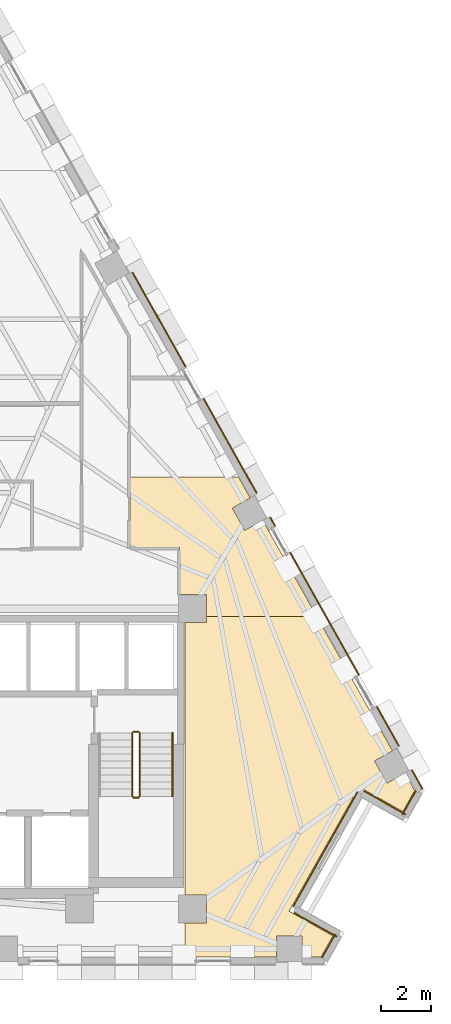
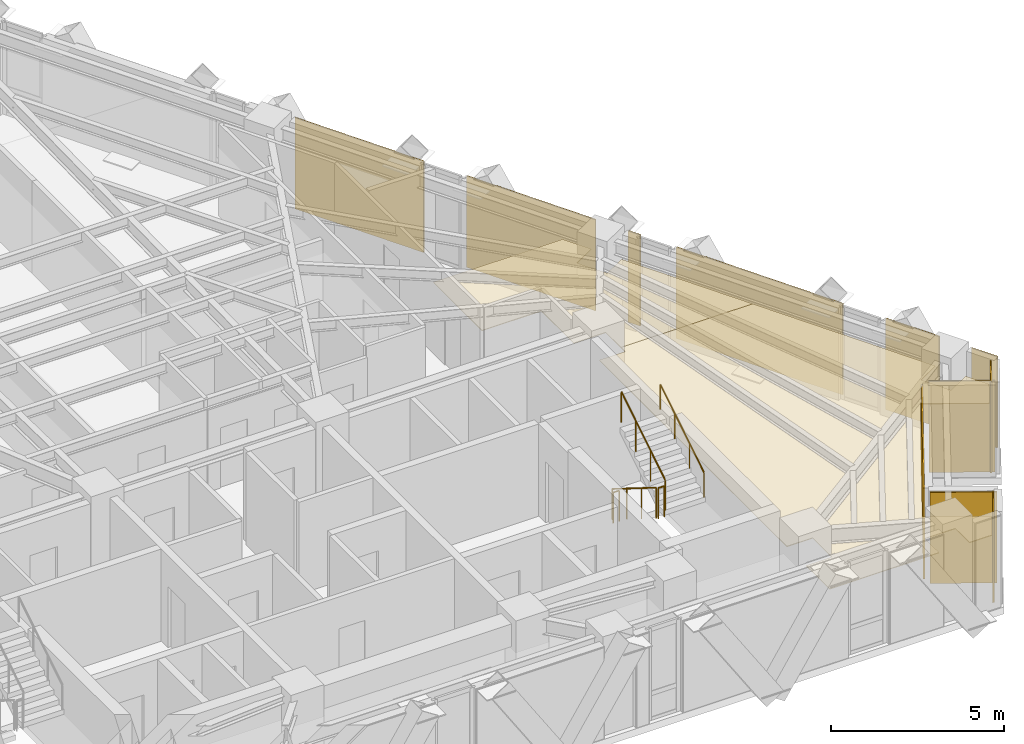
# One storey, part 12 of 13: 13 coverings, 5 railings.
"""IFC4 building model written with IfcOpenShell, lengths in metres."""

from ifc_helpers import new_model, si_unit, direction, frame, origin, origin_2d, place, context, subcontext, project, spatial, polyline, circle, outline, extrude, material, layer, layer_set, type_object, element, save


model = new_model("IFC4")

# Units and contexts
model_context = context("Model", 3, precision=1e-05, world=origin(), true_north=direction((0.0, 1.0)))
body_context = subcontext(model_context, "Body", "Model", "MODEL_VIEW")
ifc_project = project(units=[si_unit("LENGTHUNIT", "METRE"), si_unit("AREAUNIT", "SQUARE_METRE"), si_unit("VOLUMEUNIT", "CUBIC_METRE"), si_unit("PLANEANGLEUNIT", "RADIAN"), si_unit("MASSUNIT", "GRAM", prefix="KILO")], contexts=[model_context])

# Site, building, storey
site_placement = place(None, origin())
site = spatial("IfcSite", under=ifc_project, at=site_placement, CompositionType="ELEMENT")
building_placement = place(site_placement, origin())
building = spatial("IfcBuilding", under=site, at=building_placement, Name="Quenlor Broadcast Tower", CompositionType="ELEMENT")
storey_placement = place(building_placement, frame((0.0, 0.0, 172.0)))
storey = spatial("IfcBuildingStorey", under=building, at=storey_placement, Name="L47", CompositionType="ELEMENT", Elevation=172.0)

# Coverings
ifc_material_1 = material(Name="Acoustic Mineral Fibre Board", Category="other")
ifc_layer_1 = layer(ifc_material_1, 0.02490234375)
ifc_layer_set_1 = layer_set([ifc_layer_1], Name="Acoustic Perforated Mineral Tile Ceiling 25")
covering_type_1 = type_object("IfcCoveringType", Name="Acoustic Perforated Mineral Tile Ceiling 25", PredefinedType="CEILING", material=ifc_layer_set_1)
covering_1_placement = place(storey_placement, frame((0.0, 0.0, 2.375)))
element("IfcCovering", 1, at=covering_1_placement, inside=storey, type_object=covering_type_1, Name="L47 Acoustic Ceiling L47-35-2", PredefinedType="CEILING", context=body_context, shape_type="SweptSolid", body=[
    extrude(outline(polyline([(13.508056640625, -4.241943359375), (12.43994140625, -4.241943359375), (12.43994140625, -2.3701171875), (10.4599609375, -2.3701171875), (10.4599609375, 0.439697265625), (14.775146484375, 0.439697265625), (15.2451171875, -0.39599609375), (14.5322265625, -0.797119140625), (15.0302734375, -1.6826171875), (15.7431640625, -1.281494140625), (17.90234375, -5.1201171875), (13.508056640625, -5.1201171875), (13.508056640625, -4.241943359375)])), origin(), (0.0, 0.0, 1.0), 0.02490234375),
])
covering_2_placement = place(storey_placement, frame((0.0, 0.0, 2.375)))
element("IfcCovering", 2, at=covering_2_placement, inside=storey, type_object=covering_type_1, Name="L47 Acoustic Ceiling L47-35-4", PredefinedType="CEILING", context=body_context, shape_type="SweptSolid", body=[
    extrude(outline(polyline([(13.508056640625, -17.30810546875), (13.508056640625, -16.19189453125), (12.64990234375, -16.19189453125), (12.64990234375, -5.35791015625), (13.508056640625, -5.35791015625), (13.508056640625, -5.1201171875), (17.90234375, -5.1201171875), (20.90869140625, -10.46484375), (20.19580078125, -10.86572265625), (20.694091796875, -11.751220703125), (21.406982421875, -11.350341796875), (21.794921875, -12.0400390625), (21.323486328125, -12.878173828125), (19.580322265625, -11.8974609375), (16.795654296875, -16.847900390625), (18.538818359375, -17.82861328125), (18.071044921875, -18.659912109375), (17.31640625, -18.659912109375), (17.31640625, -17.842041015625), (16.30029296875, -17.842041015625), (16.30029296875, -18.659912109375), (12.64990234375, -18.659912109375), (12.64990234375, -17.30810546875), (13.508056640625, -17.30810546875)])), origin(), (0.0, 0.0, 1.0), 0.02490234375),
])
ifc_material_2 = material(Name="Architectural Terracotta Ceramic", Category="masonry")
ifc_layer_2 = layer(ifc_material_2, 0.044921875)
ifc_layer_set_2 = layer_set([ifc_layer_2], Name="Fluted Terracotta Rainscreen Cladding Panel")
covering_type_2 = type_object("IfcCoveringType", Name="Fluted Terracotta Rainscreen Cladding Panel", PredefinedType="CLADDING", material=ifc_layer_set_2)
covering_3_placement = place(storey_placement, frame((0.0, 0.0, 0.02001953125)))
element("IfcCovering", 3, at=covering_3_placement, inside=storey, type_object=covering_type_2, Name="L47 Terracotta Rainscreen Cladding L47-SHD-NES1", PredefinedType="CLADDING", context=body_context, shape_type="SweptSolid", body=[
    extrude(outline(polyline([(21.66162109375, -11.23779296875), (22.0859375, -11.992431640625), (22.125244140625, -11.970458984375), (21.70068359375, -11.2158203125), (21.66162109375, -11.23779296875)])), origin(), (0.0, 0.0, 1.0), 3.2099609375),
])
covering_4_placement = place(storey_placement, frame((0.0, 0.0, 0.02001953125)))
element("IfcCovering", 4, at=covering_4_placement, inside=storey, type_object=covering_type_2, Name="L47 Terracotta Rainscreen Cladding L47-NEC-SP1", PredefinedType="CLADDING", context=body_context, shape_type="SweptSolid", body=[
    extrude(outline(polyline([(16.025146484375, -1.1767578125), (16.22119140625, -1.525390625), (16.260498046875, -1.50341796875), (16.064453125, -1.15478515625), (16.025146484375, -1.1767578125)])), origin(), (0.0, 0.0, 1.0), 3.2099609375),
])
covering_5_placement = place(storey_placement, frame((0.0, 0.0, 0.02001953125)))
element("IfcCovering", 5, at=covering_5_placement, inside=storey, type_object=covering_type_2, Name="L47 Terracotta Rainscreen Cladding L47-NEC-SP2", PredefinedType="CLADDING", context=body_context, shape_type="SweptSolid", body=[
    extrude(outline(polyline([(16.81591796875, -2.582763671875), (19.55322265625, -7.44921875), (19.592529296875, -7.42724609375), (16.855224609375, -2.560791015625), (16.81591796875, -2.582763671875)])), origin(), (0.0, 0.0, 1.0), 3.2099609375),
])
covering_6_placement = place(storey_placement, frame((0.0, 0.0, 0.02001953125)))
element("IfcCovering", 6, at=covering_6_placement, inside=storey, type_object=covering_type_2, Name="L47 Terracotta Rainscreen Cladding L47-NEC-SP3", PredefinedType="CLADDING", context=body_context, shape_type="SweptSolid", body=[
    extrude(outline(polyline([(20.26416015625, -8.712646484375), (21.14453125, -10.278076171875), (21.183837890625, -10.256103515625), (20.30322265625, -8.690673828125), (20.26416015625, -8.712646484375)])), origin(), (0.0, 0.0, 1.0), 3.2099609375),
])
covering_7_placement = place(storey_placement, frame((0.0, 0.0, 0.02001953125)))
element("IfcCovering", 7, at=covering_7_placement, inside=storey, type_object=covering_type_2, Name="L47 Terracotta Rainscreen Cladding L47-NE-SP1", PredefinedType="CLADDING", context=body_context, shape_type="SweptSolid", body=[
    extrude(outline(polyline([(10.541748046875, 8.571533203125), (12.656982421875, 4.810791015625), (12.6962890625, 4.832763671875), (10.580810546875, 8.593505859375), (10.541748046875, 8.571533203125)])), origin(), (0.0, 0.0, 1.0), 3.2099609375),
])
covering_8_placement = place(storey_placement, frame((0.0, 0.0, 0.02001953125)))
element("IfcCovering", 8, at=covering_8_placement, inside=storey, type_object=covering_type_2, Name="L47 Terracotta Rainscreen Cladding L47-NE-SP2", PredefinedType="CLADDING", context=body_context, shape_type="SweptSolid", body=[
    extrude(outline(polyline([(13.367919921875, 3.547119140625), (15.4833984375, -0.213623046875), (15.522705078125, -0.191650390625), (13.4072265625, 3.569091796875), (13.367919921875, 3.547119140625)])), origin(), (0.0, 0.0, 1.0), 3.2099609375),
])
covering_9_placement = place(storey_placement, frame((0.0, 0.0, 0.02001953125)))
element("IfcCovering", 9, at=covering_9_placement, inside=storey, type_object=covering_type_2, Name="L47 Terracotta Rainscreen Cladding L47-CNR-01", PredefinedType="CLADDING", context=body_context, shape_type="SweptSolid", body=[
    extrude(outline(polyline([(18.702880859375, -17.8427734375), (17.011962890625, -16.8916015625), (16.989990234375, -16.930908203125), (18.680908203125, -17.882080078125), (18.702880859375, -17.8427734375)])), origin(), (0.0, 0.0, 1.0), 3.2099609375),
])
covering_10_placement = place(storey_placement, frame((0.0, 0.0, 0.02001953125)))
element("IfcCovering", 10, at=covering_10_placement, inside=storey, type_object=covering_type_2, Name="L47 Terracotta Rainscreen Cladding L47-CNR-02", PredefinedType="CLADDING", context=body_context, shape_type="SweptSolid", body=[
    extrude(outline(polyline([(16.9775390625, -16.663330078125), (19.53662109375, -12.11376953125), (19.49755859375, -12.091796875), (16.938232421875, -16.641357421875), (16.9775390625, -16.663330078125)])), origin(), (0.0, 0.0, 1.0), 3.2099609375),
])
covering_11_placement = place(storey_placement, frame((0.0, 0.0, 0.02001953125)))
element("IfcCovering", 11, at=covering_11_placement, inside=storey, type_object=covering_type_2, Name="L47 Terracotta Rainscreen Cladding L47-CNR-03", PredefinedType="CLADDING", context=body_context, shape_type="SweptSolid", body=[
    extrude(outline(polyline([(19.764892578125, -12.079345703125), (21.4208984375, -13.010986328125), (21.443115234375, -12.9716796875), (19.787109375, -12.0400390625), (19.764892578125, -12.079345703125)])), origin(), (0.0, 0.0, 1.0), 3.2099609375),
])
covering_12_placement = place(storey_placement, frame((0.0, 0.0, 0.02001953125)))
element("IfcCovering", 12, at=covering_12_placement, inside=storey, type_object=covering_type_2, Name="L47 Terracotta Rainscreen Cladding L47-CNR-04", PredefinedType="CLADDING", context=body_context, shape_type="SweptSolid", body=[
    extrude(outline(polyline([(21.328857421875, -13.007080078125), (21.859619140625, -12.0634765625), (21.820556640625, -12.04150390625), (21.289794921875, -12.985107421875), (21.328857421875, -13.007080078125)])), origin(), (0.0, 0.0, 1.0), 3.2099609375),
])
covering_13_placement = place(storey_placement, frame((0.0, 0.0, 0.02001953125)))
element("IfcCovering", 13, at=covering_13_placement, inside=storey, type_object=covering_type_2, Name="L47 Terracotta Rainscreen Cladding L47-CNR-18", PredefinedType="CLADDING", context=body_context, shape_type="SweptSolid", body=[
    extrude(outline(polyline([(18.122802734375, -18.70654296875), (18.652099609375, -17.76611328125), (18.61279296875, -17.743896484375), (18.083740234375, -18.6845703125), (18.122802734375, -18.70654296875)])), origin(), (0.0, 0.0, 1.0), 3.2099609375),
])

# Railings
ifc_material_3 = material(Name="Anodised Aluminium", Category="aluminium")
railing_type_1 = type_object("IfcRailingType", Name="Stainless Aluminium Wall Handrail 900", PredefinedType="HANDRAIL", material=ifc_material_3)
railing_1_placement = place(storey_placement, frame((12.14990234375, -12.27001953125, 1.925048828125)))
element("IfcRailing", 14, at=railing_1_placement, inside=storey, type_object=railing_type_1, Name="L47 ST-2 stair handrail 2", PredefinedType="HANDRAIL", context=body_context, shape_type="SweptSolid", body=[
    extrude(circle(Radius=0.02392578125, at=origin_2d()), frame((0.0, 0.0, 0.8759765625), z_axis=(0.0, 0.848007534815, 0.529984170421), x_axis=(-1.0, 0.0, 0.0)), (0.0, 0.0, 1.0), 2.9716796875),
    extrude(circle(Radius=0.02099609375, at=origin_2d()), origin(), (0.0, 0.0, 1.0), 0.851806640625),
    extrude(circle(Radius=0.02099609375, at=origin_2d()), frame((0.0, 0.840087890625, 0.52490234375)), (0.0, 0.0, 1.0), 0.851806640625),
    extrude(circle(Radius=0.02099609375, at=origin_2d()), frame((0.0, 1.679931640625, 1.050048828125)), (0.0, 0.0, 1.0), 0.851806640625),
    extrude(circle(Radius=0.02099609375, at=origin_2d()), frame((0.0, 2.52001953125, 1.574951171875)), (0.0, 0.0, 1.0), 0.851806640625),
])
ifc_material_4 = material(Name="Steel S355", Category="steel")
railing_type_2 = type_object("IfcRailingType", Name="Tubular Steel S355 Stair Guardrail 1100", PredefinedType="BALUSTRADE", material=ifc_material_4)
railing_2_placement = place(storey_placement, frame((10.550048828125, -9.75, 0.175048828125)))
element("IfcRailing", 15, at=railing_2_placement, inside=storey, type_object=railing_type_2, Name="L47 ST-2 stair guard 1", PredefinedType="BALUSTRADE", context=body_context, shape_type="SweptSolid", body=[
    extrude(circle(Radius=0.02392578125, at=origin_2d()), frame((0.0, 0.0, 1.076171875), z_axis=(0.0, -0.848007534815, 0.529984170421), x_axis=(1.0, 0.0, 0.0)), (0.0, 0.0, 1.0), 2.9716796875),
    extrude(circle(Radius=0.02099609375, at=origin_2d()), origin(), (0.0, 0.0, 1.0), 1.052001953125),
    extrude(circle(Radius=0.02099609375, at=origin_2d()), frame((0.0, -0.840087890625, 0.52490234375)), (0.0, 0.0, 1.0), 1.052001953125),
    extrude(circle(Radius=0.02099609375, at=origin_2d()), frame((0.0, -1.679931640625, 1.050048828125)), (0.0, 0.0, 1.0), 1.052001953125),
    extrude(circle(Radius=0.02099609375, at=origin_2d()), frame((0.0, -2.52001953125, 1.574951171875)), (0.0, 0.0, 1.0), 1.052001953125),
])
railing_3_placement = place(storey_placement, frame((10.60009765625, -12.320068359375, 1.75)))
element("IfcRailing", 16, at=railing_3_placement, inside=storey, type_object=railing_type_2, Name="L47 ST-2 stair guard 2", PredefinedType="BALUSTRADE", context=body_context, shape_type="SweptSolid", body=[
    extrude(circle(Radius=0.02392578125, at=origin_2d()), frame((0.0, 0.0, 1.076171875), z_axis=(1.0, 0.0, 0.0), x_axis=(0.0, 1.0, 0.0)), (0.0, 0.0, 1.0), 0.199951171875),
    extrude(circle(Radius=0.02099609375, at=origin_2d()), origin(), (0.0, 0.0, 1.0), 1.052001953125),
    extrude(circle(Radius=0.02099609375, at=origin_2d()), frame((0.199951171875, 0.0, 0.0)), (0.0, 0.0, 1.0), 1.052001953125),
])
railing_4_placement = place(storey_placement, frame((10.85009765625, -12.27001953125, 1.925048828125)))
element("IfcRailing", 17, at=railing_4_placement, inside=storey, type_object=railing_type_2, Name="L47 ST-2 stair guard 3", PredefinedType="BALUSTRADE", context=body_context, shape_type="SweptSolid", body=[
    extrude(circle(Radius=0.02392578125, at=origin_2d()), frame((0.0, 0.0, 1.076171875), z_axis=(0.0, 0.848007534815, 0.529984170421), x_axis=(-1.0, 0.0, 0.0)), (0.0, 0.0, 1.0), 2.9716796875),
    extrude(circle(Radius=0.02099609375, at=origin_2d()), origin(), (0.0, 0.0, 1.0), 1.052001953125),
    extrude(circle(Radius=0.02099609375, at=origin_2d()), frame((0.0, 0.840087890625, 0.52490234375)), (0.0, 0.0, 1.0), 1.052001953125),
    extrude(circle(Radius=0.02099609375, at=origin_2d()), frame((0.0, 1.679931640625, 1.050048828125)), (0.0, 0.0, 1.0), 1.052001953125),
    extrude(circle(Radius=0.02099609375, at=origin_2d()), frame((0.0, 2.52001953125, 1.574951171875)), (0.0, 0.0, 1.0), 1.052001953125),
])
railing_5_placement = place(storey_placement, frame((10.60009765625, -9.699951171875, 0.0)))
element("IfcRailing", 18, at=railing_5_placement, inside=storey, type_object=railing_type_2, Name="L47 ST-2 stair guard 4", PredefinedType="BALUSTRADE", context=body_context, shape_type="SweptSolid", body=[
    extrude(circle(Radius=0.02392578125, at=origin_2d()), frame((0.0, 0.0, 1.076171875), z_axis=(1.0, 0.0, 0.0), x_axis=(0.0, 1.0, 0.0)), (0.0, 0.0, 1.0), 0.199951171875),
    extrude(circle(Radius=0.02099609375, at=origin_2d()), origin(), (0.0, 0.0, 1.0), 1.052001953125),
    extrude(circle(Radius=0.02099609375, at=origin_2d()), frame((0.199951171875, 0.0, 0.0)), (0.0, 0.0, 1.0), 1.052001953125),
])

save(model, "model.ifc")
